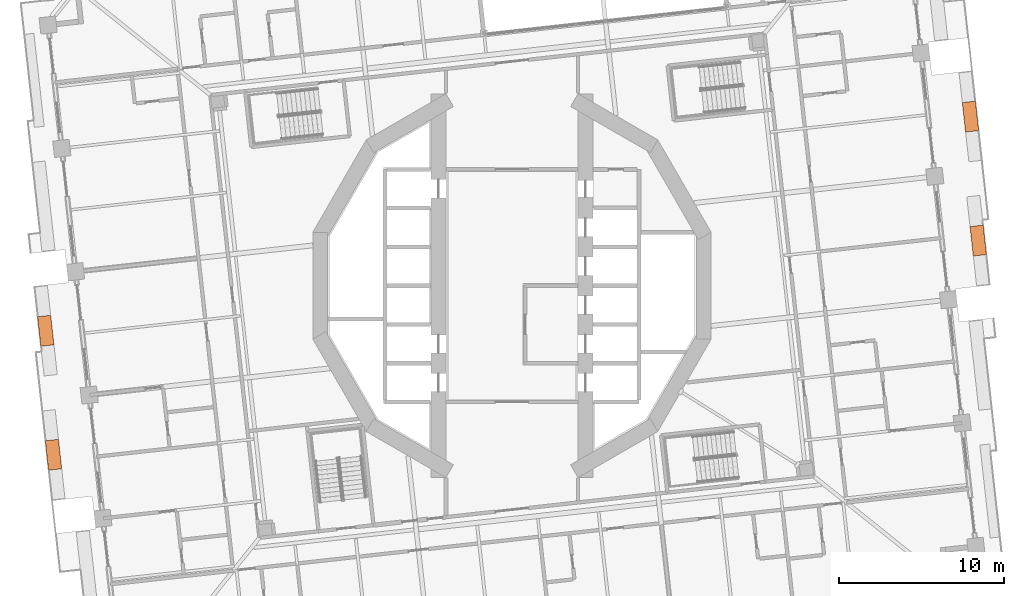
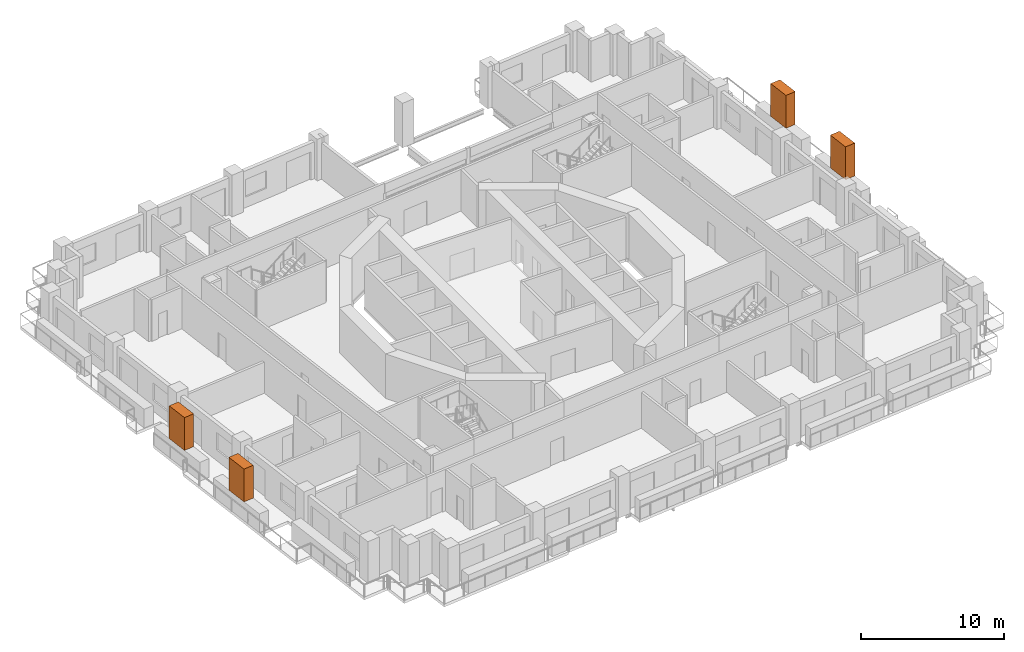
# One storey, part 20 of 20: 4 proxies.
"""IFC4 building model written with IfcOpenShell, lengths in metres."""

from ifc_helpers import new_model, si_unit, direction, frame, origin, origin_2d, place, context, subcontext, project, spatial, rectangle, extrude, element, save


model = new_model("IFC4")

# Units and contexts
model_context = context("Model", 3, precision=1e-05, world=origin(), true_north=direction((0.0, 1.0)))
body_context = subcontext(model_context, "Body", "Model", "MODEL_VIEW")
ifc_project = project(units=[si_unit("LENGTHUNIT", "METRE"), si_unit("AREAUNIT", "SQUARE_METRE"), si_unit("VOLUMEUNIT", "CUBIC_METRE"), si_unit("PLANEANGLEUNIT", "RADIAN"), si_unit("MASSUNIT", "GRAM", prefix="KILO")], contexts=[model_context])

# Site, building, storey
site_placement = place(None, origin())
site = spatial("IfcSite", under=ifc_project, at=site_placement, CompositionType="ELEMENT")
building_placement = place(site_placement, origin())
building = spatial("IfcBuilding", under=site, at=building_placement, Name="Cantera Rosa Tower", CompositionType="ELEMENT")
storey_placement = place(building_placement, frame((0.0, 0.0, 46.300048828125)))
storey = spatial("IfcBuildingStorey", under=building, at=storey_placement, Name="L08", CompositionType="ELEMENT", Elevation=46.300048828125)

# Proxies
for number, where, z_axis, x_axis, name in (
    (1, (28.25830078125, 2.73388671875, 1.60009765625), (0.0, 0.0, 1.0), (-0.110312555526, 0.993896946415, 0.0), "TREE L08-03"),
    (2, (27.78857421875, 10.248046875, 1.60009765625), (0.0, 0.0, 1.0), (-0.110312555526, 0.993896946415, 0.0), "TREE L08-04"),
    (3, (-28.25830078125, -2.73388671875, 1.60009765625), (0.0, 0.0, 1.0), (0.110312555526, -0.993896946415, 0.0), "TREE L08-14"),
    (4, (-27.78857421875, -10.248046875, 1.60009765625), (0.0, 0.0, 1.0), (0.110312555526, -0.993896946415, 0.0), "TREE L08-15"),
):
    element("IfcBuildingElementProxy", number, at=place(storey_placement, frame(where, z_axis=z_axis, x_axis=x_axis)), inside=storey, Name=name, ObjectType="TREE", PredefinedType="USERDEFINED", context=body_context, shape_type="SweptSolid", body=[
        extrude(rectangle(XDim=1.800048828125, YDim=0.800048828125, at=origin_2d()), origin(), (0.0, 0.0, 1.0), 2.800048828125),
    ])

save(model, "model.ifc")
